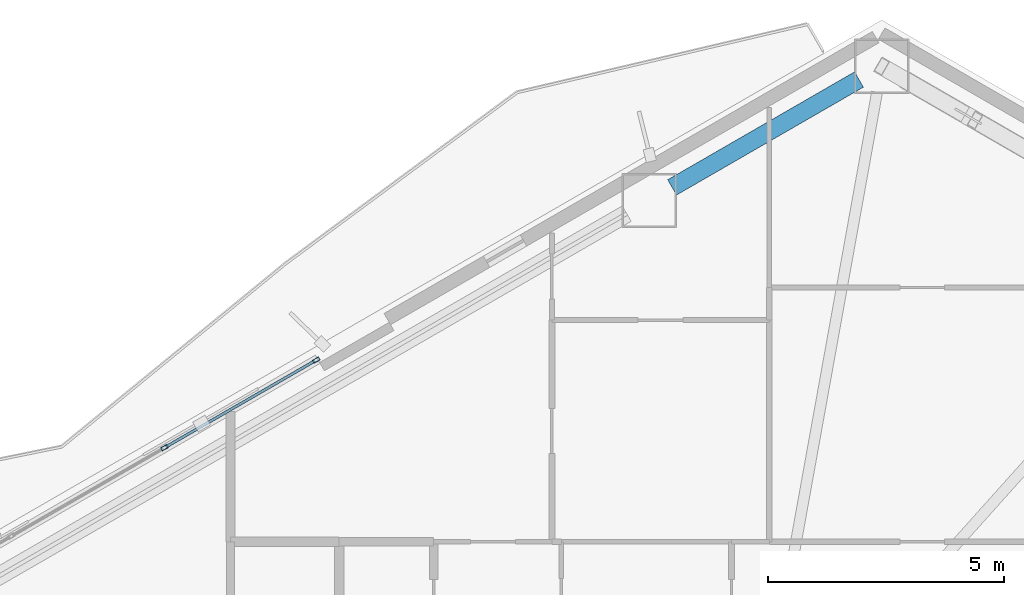
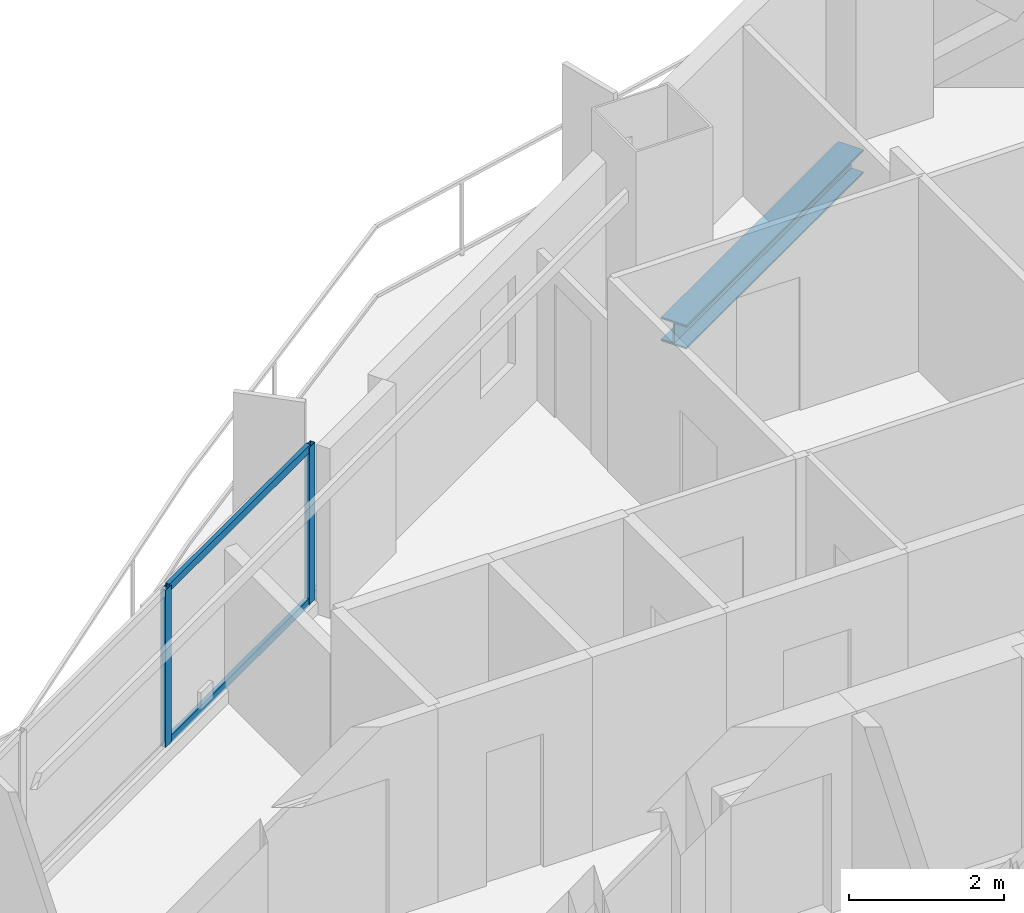
# One storey, part 13 of 22: 4 members, 1 beam, 1 element without a shape of its own.
"""IFC4 building model written with IfcOpenShell, lengths in metres."""

from ifc_helpers import new_model, si_unit, direction, frame, origin, origin_2d, place, context, subcontext, project, spatial, hollow_rectangle, i_section, extrude, material, layer, layer_set, material_profile, profile_set, type_object, element, aggregate, save


model = new_model("IFC4")

# Units and contexts
model_context = context("Model", 3, precision=1e-05, world=origin(), true_north=direction((0.0, 1.0)))
body_context = subcontext(model_context, "Body", "Model", "MODEL_VIEW")
ifc_project = project(units=[si_unit("LENGTHUNIT", "METRE"), si_unit("AREAUNIT", "SQUARE_METRE"), si_unit("VOLUMEUNIT", "CUBIC_METRE"), si_unit("PLANEANGLEUNIT", "RADIAN"), si_unit("MASSUNIT", "GRAM", prefix="KILO")], contexts=[model_context])

# Site, building, storey
site_placement = place(None, origin())
site = spatial("IfcSite", under=ifc_project, at=site_placement, CompositionType="ELEMENT")
building_placement = place(site_placement, origin())
building = spatial("IfcBuilding", under=site, at=building_placement, Name="Mersakhor Tower and Convention Hall", CompositionType="ELEMENT")
storey_placement = place(building_placement, frame((0.0, 0.0, 76.800048828125)))
storey = spatial("IfcBuildingStorey", under=building, at=storey_placement, Name="L20", CompositionType="ELEMENT", Elevation=76.800048828125)

# Beam
ifc_material_1 = material(Name="Steel S355", Category="steel")
ifc_material_profile_1 = material_profile(ifc_material_1, i_section(OverallWidth=0.374755859375, OverallDepth=0.37451171875, WebThickness=0.0166015625, FlangeThickness=0.027099609375, at=origin_2d()), Name="UC 356x368x202")
ifc_profile_set_1 = profile_set([ifc_material_profile_1], Name="Steel S355")
beam_type = type_object("IfcBeamType", Name="BM-SPD-UC356", PredefinedType="SPANDREL", material=ifc_profile_set_1)
beam_placement = place(storey_placement, frame((34.343505859375, 45.34814453125, -0.437255859375), z_axis=(0.866046694585, 0.499963121439, 0.0), x_axis=(-0.499963121439, 0.866046694585, 0.0)))
element("IfcBeam", 1, at=beam_placement, inside=storey, type_object=beam_type, Name="L20 Perimeter Spandrel Beam SPB-03", PredefinedType="SPANDREL", context=body_context, shape_type="SweptSolid", body=[
    extrude(i_section(OverallWidth=0.374755859375, OverallDepth=0.37451171875, WebThickness=0.0166015625, FlangeThickness=0.027099609375, at=origin_2d()), origin(), (0.0, 0.0, 1.0), 4.566162109375),
])

# Curtain wall, members
ifc_material_2 = material(Name="Dark solar low-E aluminium curtain wall", Category="aluminium")
ifc_layer = layer(ifc_material_2, 0.159912109375)
ifc_layer_set = layer_set([ifc_layer], Name="Dark solar low-E aluminium curtain wall")
curtain_wall_type = type_object("IfcCurtainWallType", Name="CW-SYS-01", PredefinedType="USERDEFINED", material=ifc_layer_set)
curtain_wall_placement = place(storey_placement, origin())
curtain_wall = element("IfcCurtainWall", 2, at=curtain_wall_placement, inside=storey, type_object=curtain_wall_type, Name="L20 Dark-Glass Curtain Wall F1-B2", ObjectType="CURTAIN WALL", PredefinedType="USERDEFINED")
ifc_material_3 = material(Name="Anodised aluminium EN AW-6063 T6", Category="aluminium")
ifc_material_profile_2 = material_profile(ifc_material_3, hollow_rectangle(XDim=0.074951171875, YDim=0.14990234375, WallThickness=0.00634765625, at=origin_2d()), Name="RHS 150x75x6.3")
ifc_profile_set_2 = profile_set([ifc_material_profile_2], Name="Anodised aluminium EN AW-6063 T6")
member_type_1 = type_object("IfcMemberType", Name="CWM-150x75", PredefinedType="MULLION", material=ifc_profile_set_2)
member_1_placement = place(storey_placement, frame((23.603515625, 39.840087890625, 0.199951171875), z_axis=(0.0, 0.0, 1.0), x_axis=(-0.499997904985, 0.866026613339, 0.0)))
member_1 = element("IfcMember", 3, at=member_1_placement, type_object=member_type_1, Name="CW-01 mullion 3", PredefinedType="MULLION", context=body_context, shape_type="SweptSolid", body=[
    extrude(hollow_rectangle(XDim=0.074951171875, YDim=0.14990234375, WallThickness=0.00634765625, at=origin_2d()), origin(), (0.0, 0.0, 1.0), 2.469970703125),
])
member_2_placement = place(storey_placement, frame((26.812744140625, 41.69287109375, 0.199951171875), z_axis=(0.0, 0.0, 1.0), x_axis=(-0.499997904985, 0.866026613339, 0.0)))
member_2 = element("IfcMember", 4, at=member_2_placement, type_object=member_type_1, Name="CW-01 mullion 4", PredefinedType="MULLION", context=body_context, shape_type="SweptSolid", body=[
    extrude(hollow_rectangle(XDim=0.074951171875, YDim=0.14990234375, WallThickness=0.00634765625, at=origin_2d()), origin(), (0.0, 0.0, 1.0), 2.469970703125),
])
ifc_material_4 = material(Name="Anodised aluminium EN AW-6063 T6", Category="aluminium")
ifc_material_profile_3 = material_profile(ifc_material_4, hollow_rectangle(XDim=0.06005859375, YDim=0.1201171875, WallThickness=0.0048828125, at=origin_2d()), Name="RHS 120x60x5")
ifc_profile_set_3 = profile_set([ifc_material_profile_3], Name="Anodised aluminium EN AW-6063 T6")
member_type_2 = type_object("IfcMemberType", Name="CWT-120x60", PredefinedType="USERDEFINED", material=ifc_profile_set_3)
member_3_placement = place(storey_placement, frame((23.635986328125, 39.85888671875, 0.22998046875), z_axis=(0.866016497289, 0.500015426185, 0.0), x_axis=(-0.500015426185, 0.866016497289, 0.0)))
member_3 = element("IfcMember", 5, at=member_3_placement, type_object=member_type_2, Name="CW-01 transom 3.1", ObjectType="TRANSOM", PredefinedType="USERDEFINED", context=body_context, shape_type="SweptSolid", body=[
    extrude(hollow_rectangle(XDim=0.06005859375, YDim=0.1201171875, WallThickness=0.0048828125, at=origin_2d()), origin(), (0.0, 0.0, 1.0), 3.630859375),
])
member_4_placement = place(storey_placement, frame((23.635986328125, 39.85888671875, 2.639892578125), z_axis=(0.866016497289, 0.500015426185, 0.0), x_axis=(-0.500015426185, 0.866016497289, 0.0)))
member_4 = element("IfcMember", 6, at=member_4_placement, type_object=member_type_2, Name="CW-01 transom 3.2", ObjectType="TRANSOM", PredefinedType="USERDEFINED", context=body_context, shape_type="SweptSolid", body=[
    extrude(hollow_rectangle(XDim=0.06005859375, YDim=0.1201171875, WallThickness=0.0048828125, at=origin_2d()), origin(), (0.0, 0.0, 1.0), 3.630859375),
])
aggregate(curtain_wall, [member_1, member_2, member_3, member_4])

save(model, "model.ifc")
